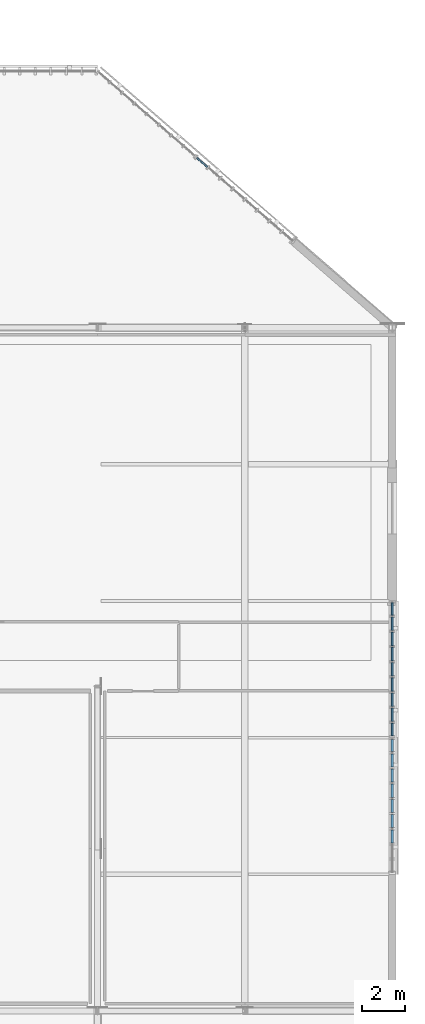
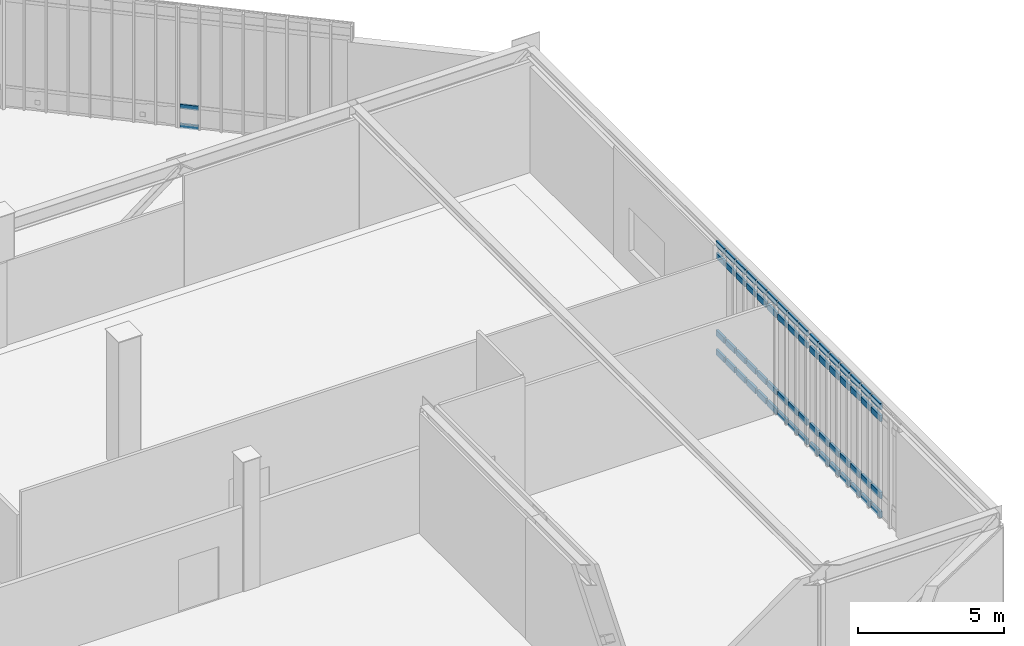
# One storey, part 64 of 135: 66 members, 3 elements without a shape of their own.
"""IFC4 building model written with IfcOpenShell, lengths in metres."""

from ifc_helpers import new_model, si_unit, direction, frame, origin, origin_2d, place, context, subcontext, project, spatial, rectangle, extrude, material, material_profile, profile_set, type_object, element, aggregate, save


model = new_model("IFC4")

# Units and contexts
model_context = context("Model", 3, precision=1e-05, world=origin(), true_north=direction((0.0, 1.0)))
body_context = subcontext(model_context, "Body", "Model", "MODEL_VIEW")
ifc_project = project(units=[si_unit("LENGTHUNIT", "METRE"), si_unit("AREAUNIT", "SQUARE_METRE"), si_unit("VOLUMEUNIT", "CUBIC_METRE"), si_unit("PLANEANGLEUNIT", "RADIAN"), si_unit("MASSUNIT", "GRAM", prefix="KILO")], contexts=[model_context])

# Site, building, storey
site_placement = place(None, origin())
site = spatial("IfcSite", under=ifc_project, at=site_placement, CompositionType="ELEMENT")
building_placement = place(site_placement, origin())
building = spatial("IfcBuilding", under=site, at=building_placement, Name="Larkvane Passage Sports Hall", CompositionType="ELEMENT")
storey_placement = place(building_placement, frame((0.0, 0.0, 16.800048828125)))
storey = spatial("IfcBuildingStorey", under=building, at=storey_placement, Name="L03", CompositionType="ELEMENT", Elevation=16.800048828125)

# Curtain wall, members
ifc_material_1 = material(Name="Thermally broken aluminium and low-E glazing", Category="aluminium")
curtain_wall_type_1 = type_object("IfcCurtainWallType", Name="CW-CLINIC", PredefinedType="USERDEFINED", material=ifc_material_1)
curtain_wall_1_placement = place(storey_placement, origin())
curtain_wall_1 = element("IfcCurtainWall", 1, at=curtain_wall_1_placement, inside=storey, type_object=curtain_wall_type_1, Name="Curtain wall CW5-L03-115", ObjectType="UNITISED CURTAIN WALL", PredefinedType="USERDEFINED")
ifc_material_2 = material(Name="Anodised aluminium 6063-T6", Category="aluminium")
ifc_material_profile_1 = material_profile(ifc_material_2, rectangle(XDim=0.10009765625, YDim=0.260009765625, at=origin_2d()), Name="ALU-TRN-100x260")
ifc_profile_set_1 = profile_set([ifc_material_profile_1], Name="Anodised aluminium 6063-T6")
member_type_1 = type_object("IfcMemberType", Name="CW-TRN-100x260", PredefinedType="USERDEFINED", material=ifc_profile_set_1)
member_1_placement = place(storey_placement, frame((166.39990234375, 20.300048828125, 0.050048828125), z_axis=(0.0, -1.0, 0.0), x_axis=(1.0, 0.0, 0.0)))
member_1 = element("IfcMember", 2, at=member_1_placement, type_object=member_type_1, Name="CW-05 transom 1.1", ObjectType="TRANSOM", PredefinedType="USERDEFINED", context=body_context, shape_type="SweptSolid", body=[
    extrude(rectangle(XDim=0.10009765625, YDim=0.260009765625, at=origin_2d()), origin(), (0.0, 0.0, 1.0), 0.561279296875),
])
member_2_placement = place(storey_placement, frame((166.39990234375, 20.300048828125, 0.849853515625), z_axis=(0.0, -1.0, 0.0), x_axis=(1.0, 0.0, 0.0)))
member_2 = element("IfcMember", 3, at=member_2_placement, type_object=member_type_1, Name="CW-05 transom 1.2", ObjectType="TRANSOM", PredefinedType="USERDEFINED", context=body_context, shape_type="SweptSolid", body=[
    extrude(rectangle(XDim=0.10009765625, YDim=0.260009765625, at=origin_2d()), origin(), (0.0, 0.0, 1.0), 0.561279296875),
])
member_3_placement = place(storey_placement, frame((166.39990234375, 20.300048828125, 4.06787109375), z_axis=(0.0, -1.0, 0.0), x_axis=(1.0, 0.0, 0.0)))
member_3 = element("IfcMember", 4, at=member_3_placement, type_object=member_type_1, Name="CW-05 transom 1.3", ObjectType="TRANSOM", PredefinedType="USERDEFINED", context=body_context, shape_type="SweptSolid", body=[
    extrude(rectangle(XDim=0.10009765625, YDim=0.260009765625, at=origin_2d()), origin(), (0.0, 0.0, 1.0), 0.561279296875),
])
member_4_placement = place(storey_placement, frame((166.39990234375, 20.300048828125, 4.56787109375), z_axis=(0.0, -1.0, 0.0), x_axis=(1.0, 0.0, 0.0)))
member_4 = element("IfcMember", 5, at=member_4_placement, type_object=member_type_1, Name="CW-05 transom 1.4", ObjectType="TRANSOM", PredefinedType="USERDEFINED", context=body_context, shape_type="SweptSolid", body=[
    extrude(rectangle(XDim=0.10009765625, YDim=0.260009765625, at=origin_2d()), origin(), (0.0, 0.0, 1.0), 0.561279296875),
])
member_5_placement = place(storey_placement, frame((166.39990234375, 19.638916015625, 0.050048828125), z_axis=(0.0, -1.0, 0.0), x_axis=(1.0, 0.0, 0.0)))
member_5 = element("IfcMember", 6, at=member_5_placement, type_object=member_type_1, Name="CW-05 transom 2.1", ObjectType="TRANSOM", PredefinedType="USERDEFINED", context=body_context, shape_type="SweptSolid", body=[
    extrude(rectangle(XDim=0.10009765625, YDim=0.260009765625, at=origin_2d()), origin(), (0.0, 0.0, 1.0), 0.611083984375),
])
member_6_placement = place(storey_placement, frame((166.39990234375, 19.638916015625, 0.849853515625), z_axis=(0.0, -1.0, 0.0), x_axis=(1.0, 0.0, 0.0)))
member_6 = element("IfcMember", 7, at=member_6_placement, type_object=member_type_1, Name="CW-05 transom 2.2", ObjectType="TRANSOM", PredefinedType="USERDEFINED", context=body_context, shape_type="SweptSolid", body=[
    extrude(rectangle(XDim=0.10009765625, YDim=0.260009765625, at=origin_2d()), origin(), (0.0, 0.0, 1.0), 0.611083984375),
])
member_7_placement = place(storey_placement, frame((166.39990234375, 19.638916015625, 4.06787109375), z_axis=(0.0, -1.0, 0.0), x_axis=(1.0, 0.0, 0.0)))
member_7 = element("IfcMember", 8, at=member_7_placement, type_object=member_type_1, Name="CW-05 transom 2.3", ObjectType="TRANSOM", PredefinedType="USERDEFINED", context=body_context, shape_type="SweptSolid", body=[
    extrude(rectangle(XDim=0.10009765625, YDim=0.260009765625, at=origin_2d()), origin(), (0.0, 0.0, 1.0), 0.611083984375),
])
member_8_placement = place(storey_placement, frame((166.39990234375, 19.638916015625, 4.56787109375), z_axis=(0.0, -1.0, 0.0), x_axis=(1.0, 0.0, 0.0)))
member_8 = element("IfcMember", 9, at=member_8_placement, type_object=member_type_1, Name="CW-05 transom 2.4", ObjectType="TRANSOM", PredefinedType="USERDEFINED", context=body_context, shape_type="SweptSolid", body=[
    extrude(rectangle(XDim=0.10009765625, YDim=0.260009765625, at=origin_2d()), origin(), (0.0, 0.0, 1.0), 0.611083984375),
])
member_9_placement = place(storey_placement, frame((166.39990234375, 18.927734375, 0.050048828125), z_axis=(0.0, -1.0, 0.0), x_axis=(1.0, 0.0, 0.0)))
member_9 = element("IfcMember", 10, at=member_9_placement, type_object=member_type_1, Name="CW-05 transom 3.1", ObjectType="TRANSOM", PredefinedType="USERDEFINED", context=body_context, shape_type="SweptSolid", body=[
    extrude(rectangle(XDim=0.10009765625, YDim=0.260009765625, at=origin_2d()), origin(), (0.0, 0.0, 1.0), 0.611083984375),
])
member_10_placement = place(storey_placement, frame((166.39990234375, 18.927734375, 0.849853515625), z_axis=(0.0, -1.0, 0.0), x_axis=(1.0, 0.0, 0.0)))
member_10 = element("IfcMember", 11, at=member_10_placement, type_object=member_type_1, Name="CW-05 transom 3.2", ObjectType="TRANSOM", PredefinedType="USERDEFINED", context=body_context, shape_type="SweptSolid", body=[
    extrude(rectangle(XDim=0.10009765625, YDim=0.260009765625, at=origin_2d()), origin(), (0.0, 0.0, 1.0), 0.611083984375),
])
member_11_placement = place(storey_placement, frame((166.39990234375, 18.927734375, 4.06787109375), z_axis=(0.0, -1.0, 0.0), x_axis=(1.0, 0.0, 0.0)))
member_11 = element("IfcMember", 12, at=member_11_placement, type_object=member_type_1, Name="CW-05 transom 3.3", ObjectType="TRANSOM", PredefinedType="USERDEFINED", context=body_context, shape_type="SweptSolid", body=[
    extrude(rectangle(XDim=0.10009765625, YDim=0.260009765625, at=origin_2d()), origin(), (0.0, 0.0, 1.0), 0.611083984375),
])
member_12_placement = place(storey_placement, frame((166.39990234375, 18.927734375, 4.56787109375), z_axis=(0.0, -1.0, 0.0), x_axis=(1.0, 0.0, 0.0)))
member_12 = element("IfcMember", 13, at=member_12_placement, type_object=member_type_1, Name="CW-05 transom 3.4", ObjectType="TRANSOM", PredefinedType="USERDEFINED", context=body_context, shape_type="SweptSolid", body=[
    extrude(rectangle(XDim=0.10009765625, YDim=0.260009765625, at=origin_2d()), origin(), (0.0, 0.0, 1.0), 0.611083984375),
])
member_13_placement = place(storey_placement, frame((166.39990234375, 18.216552734375, 0.050048828125), z_axis=(0.0, -1.0, 0.0), x_axis=(1.0, 0.0, 0.0)))
member_13 = element("IfcMember", 14, at=member_13_placement, type_object=member_type_1, Name="CW-05 transom 4.1", ObjectType="TRANSOM", PredefinedType="USERDEFINED", context=body_context, shape_type="SweptSolid", body=[
    extrude(rectangle(XDim=0.10009765625, YDim=0.260009765625, at=origin_2d()), origin(), (0.0, 0.0, 1.0), 0.611083984375),
])
member_14_placement = place(storey_placement, frame((166.39990234375, 18.216552734375, 0.849853515625), z_axis=(0.0, -1.0, 0.0), x_axis=(1.0, 0.0, 0.0)))
member_14 = element("IfcMember", 15, at=member_14_placement, type_object=member_type_1, Name="CW-05 transom 4.2", ObjectType="TRANSOM", PredefinedType="USERDEFINED", context=body_context, shape_type="SweptSolid", body=[
    extrude(rectangle(XDim=0.10009765625, YDim=0.260009765625, at=origin_2d()), origin(), (0.0, 0.0, 1.0), 0.611083984375),
])
member_15_placement = place(storey_placement, frame((166.39990234375, 18.216552734375, 4.06787109375), z_axis=(0.0, -1.0, 0.0), x_axis=(1.0, 0.0, 0.0)))
member_15 = element("IfcMember", 16, at=member_15_placement, type_object=member_type_1, Name="CW-05 transom 4.3", ObjectType="TRANSOM", PredefinedType="USERDEFINED", context=body_context, shape_type="SweptSolid", body=[
    extrude(rectangle(XDim=0.10009765625, YDim=0.260009765625, at=origin_2d()), origin(), (0.0, 0.0, 1.0), 0.611083984375),
])
member_16_placement = place(storey_placement, frame((166.39990234375, 18.216552734375, 4.56787109375), z_axis=(0.0, -1.0, 0.0), x_axis=(1.0, 0.0, 0.0)))
member_16 = element("IfcMember", 17, at=member_16_placement, type_object=member_type_1, Name="CW-05 transom 4.4", ObjectType="TRANSOM", PredefinedType="USERDEFINED", context=body_context, shape_type="SweptSolid", body=[
    extrude(rectangle(XDim=0.10009765625, YDim=0.260009765625, at=origin_2d()), origin(), (0.0, 0.0, 1.0), 0.611083984375),
])
member_17_placement = place(storey_placement, frame((166.39990234375, 17.505615234375, 0.050048828125), z_axis=(0.0, -1.0, 0.0), x_axis=(1.0, 0.0, 0.0)))
member_17 = element("IfcMember", 18, at=member_17_placement, type_object=member_type_1, Name="CW-05 transom 5.1", ObjectType="TRANSOM", PredefinedType="USERDEFINED", context=body_context, shape_type="SweptSolid", body=[
    extrude(rectangle(XDim=0.10009765625, YDim=0.260009765625, at=origin_2d()), origin(), (0.0, 0.0, 1.0), 0.611083984375),
])
member_18_placement = place(storey_placement, frame((166.39990234375, 17.505615234375, 0.849853515625), z_axis=(0.0, -1.0, 0.0), x_axis=(1.0, 0.0, 0.0)))
member_18 = element("IfcMember", 19, at=member_18_placement, type_object=member_type_1, Name="CW-05 transom 5.2", ObjectType="TRANSOM", PredefinedType="USERDEFINED", context=body_context, shape_type="SweptSolid", body=[
    extrude(rectangle(XDim=0.10009765625, YDim=0.260009765625, at=origin_2d()), origin(), (0.0, 0.0, 1.0), 0.611083984375),
])
member_19_placement = place(storey_placement, frame((166.39990234375, 17.505615234375, 4.06787109375), z_axis=(0.0, -1.0, 0.0), x_axis=(1.0, 0.0, 0.0)))
member_19 = element("IfcMember", 20, at=member_19_placement, type_object=member_type_1, Name="CW-05 transom 5.3", ObjectType="TRANSOM", PredefinedType="USERDEFINED", context=body_context, shape_type="SweptSolid", body=[
    extrude(rectangle(XDim=0.10009765625, YDim=0.260009765625, at=origin_2d()), origin(), (0.0, 0.0, 1.0), 0.611083984375),
])
member_20_placement = place(storey_placement, frame((166.39990234375, 17.505615234375, 4.56787109375), z_axis=(0.0, -1.0, 0.0), x_axis=(1.0, 0.0, 0.0)))
member_20 = element("IfcMember", 21, at=member_20_placement, type_object=member_type_1, Name="CW-05 transom 5.4", ObjectType="TRANSOM", PredefinedType="USERDEFINED", context=body_context, shape_type="SweptSolid", body=[
    extrude(rectangle(XDim=0.10009765625, YDim=0.260009765625, at=origin_2d()), origin(), (0.0, 0.0, 1.0), 0.611083984375),
])
member_21_placement = place(storey_placement, frame((166.39990234375, 16.79443359375, 0.050048828125), z_axis=(0.0, -1.0, 0.0), x_axis=(1.0, 0.0, 0.0)))
member_21 = element("IfcMember", 22, at=member_21_placement, type_object=member_type_1, Name="CW-05 transom 6.1", ObjectType="TRANSOM", PredefinedType="USERDEFINED", context=body_context, shape_type="SweptSolid", body=[
    extrude(rectangle(XDim=0.10009765625, YDim=0.260009765625, at=origin_2d()), origin(), (0.0, 0.0, 1.0), 0.611083984375),
])
member_22_placement = place(storey_placement, frame((166.39990234375, 16.79443359375, 0.849853515625), z_axis=(0.0, -1.0, 0.0), x_axis=(1.0, 0.0, 0.0)))
member_22 = element("IfcMember", 23, at=member_22_placement, type_object=member_type_1, Name="CW-05 transom 6.2", ObjectType="TRANSOM", PredefinedType="USERDEFINED", context=body_context, shape_type="SweptSolid", body=[
    extrude(rectangle(XDim=0.10009765625, YDim=0.260009765625, at=origin_2d()), origin(), (0.0, 0.0, 1.0), 0.611083984375),
])
member_23_placement = place(storey_placement, frame((166.39990234375, 16.79443359375, 4.06787109375), z_axis=(0.0, -1.0, 0.0), x_axis=(1.0, 0.0, 0.0)))
member_23 = element("IfcMember", 24, at=member_23_placement, type_object=member_type_1, Name="CW-05 transom 6.3", ObjectType="TRANSOM", PredefinedType="USERDEFINED", context=body_context, shape_type="SweptSolid", body=[
    extrude(rectangle(XDim=0.10009765625, YDim=0.260009765625, at=origin_2d()), origin(), (0.0, 0.0, 1.0), 0.611083984375),
])
member_24_placement = place(storey_placement, frame((166.39990234375, 16.79443359375, 4.56787109375), z_axis=(0.0, -1.0, 0.0), x_axis=(1.0, 0.0, 0.0)))
member_24 = element("IfcMember", 25, at=member_24_placement, type_object=member_type_1, Name="CW-05 transom 6.4", ObjectType="TRANSOM", PredefinedType="USERDEFINED", context=body_context, shape_type="SweptSolid", body=[
    extrude(rectangle(XDim=0.10009765625, YDim=0.260009765625, at=origin_2d()), origin(), (0.0, 0.0, 1.0), 0.611083984375),
])
member_25_placement = place(storey_placement, frame((166.39990234375, 16.083251953125, 0.050048828125), z_axis=(0.0, -1.0, 0.0), x_axis=(1.0, 0.0, 0.0)))
member_25 = element("IfcMember", 26, at=member_25_placement, type_object=member_type_1, Name="CW-05 transom 7.1", ObjectType="TRANSOM", PredefinedType="USERDEFINED", context=body_context, shape_type="SweptSolid", body=[
    extrude(rectangle(XDim=0.10009765625, YDim=0.260009765625, at=origin_2d()), origin(), (0.0, 0.0, 1.0), 0.611083984375),
])
member_26_placement = place(storey_placement, frame((166.39990234375, 16.083251953125, 0.849853515625), z_axis=(0.0, -1.0, 0.0), x_axis=(1.0, 0.0, 0.0)))
member_26 = element("IfcMember", 27, at=member_26_placement, type_object=member_type_1, Name="CW-05 transom 7.2", ObjectType="TRANSOM", PredefinedType="USERDEFINED", context=body_context, shape_type="SweptSolid", body=[
    extrude(rectangle(XDim=0.10009765625, YDim=0.260009765625, at=origin_2d()), origin(), (0.0, 0.0, 1.0), 0.611083984375),
])
member_27_placement = place(storey_placement, frame((166.39990234375, 16.083251953125, 4.06787109375), z_axis=(0.0, -1.0, 0.0), x_axis=(1.0, 0.0, 0.0)))
member_27 = element("IfcMember", 28, at=member_27_placement, type_object=member_type_1, Name="CW-05 transom 7.3", ObjectType="TRANSOM", PredefinedType="USERDEFINED", context=body_context, shape_type="SweptSolid", body=[
    extrude(rectangle(XDim=0.10009765625, YDim=0.260009765625, at=origin_2d()), origin(), (0.0, 0.0, 1.0), 0.611083984375),
])
member_28_placement = place(storey_placement, frame((166.39990234375, 16.083251953125, 4.56787109375), z_axis=(0.0, -1.0, 0.0), x_axis=(1.0, 0.0, 0.0)))
member_28 = element("IfcMember", 29, at=member_28_placement, type_object=member_type_1, Name="CW-05 transom 7.4", ObjectType="TRANSOM", PredefinedType="USERDEFINED", context=body_context, shape_type="SweptSolid", body=[
    extrude(rectangle(XDim=0.10009765625, YDim=0.260009765625, at=origin_2d()), origin(), (0.0, 0.0, 1.0), 0.611083984375),
])
aggregate(curtain_wall_1, [member_1, member_2, member_3, member_4, member_5, member_6, member_7, member_8, member_9, member_10, member_11, member_12, member_13, member_14, member_15, member_16, member_17, member_18, member_19, member_20, member_21, member_22, member_23, member_24, member_25, member_26, member_27, member_28])

curtain_wall_type_2 = type_object("IfcCurtainWallType", Name="CW-UNIT-VEIL", PredefinedType="USERDEFINED", material=ifc_material_1)
curtain_wall_2_placement = place(storey_placement, origin())
curtain_wall_2 = element("IfcCurtainWall", 30, at=curtain_wall_2_placement, inside=storey, type_object=curtain_wall_type_2, Name="Curtain wall CW5-L03-113", ObjectType="UNITISED CURTAIN WALL", PredefinedType="USERDEFINED")
ifc_material_profile_2 = material_profile(ifc_material_2, rectangle(XDim=0.074951171875, YDim=0.18505859375, at=origin_2d()), Name="ALU-TRN-75x185")
ifc_profile_set_2 = profile_set([ifc_material_profile_2], Name="Anodised aluminium 6063-T6")
member_type_2 = type_object("IfcMemberType", Name="CW-TRN-75x185", PredefinedType="USERDEFINED", material=ifc_profile_set_2)
member_29_placement = place(storey_placement, frame((157.256591796875, 47.55078125, 0.037353515625), z_axis=(0.754459831752, -0.656346221345, 0.0), x_axis=(0.656346221345, 0.754459831752, 0.0)))
member_29 = element("IfcMember", 31, at=member_29_placement, type_object=member_type_2, Name="CW-02 transom 1.1", ObjectType="TRANSOM", PredefinedType="USERDEFINED", context=body_context, shape_type="SweptSolid", body=[
    extrude(rectangle(XDim=0.074951171875, YDim=0.18505859375, at=origin_2d()), origin(), (0.0, 0.0, 1.0), 0.6494140625),
])
member_30_placement = place(storey_placement, frame((157.256591796875, 47.55078125, 0.849853515625), z_axis=(0.754459831752, -0.656346221345, 0.0), x_axis=(0.656346221345, 0.754459831752, 0.0)))
member_30 = element("IfcMember", 32, at=member_30_placement, type_object=member_type_2, Name="CW-02 transom 1.2", ObjectType="TRANSOM", PredefinedType="USERDEFINED", context=body_context, shape_type="SweptSolid", body=[
    extrude(rectangle(XDim=0.074951171875, YDim=0.18505859375, at=origin_2d()), origin(), (0.0, 0.0, 1.0), 0.6494140625),
])
aggregate(curtain_wall_2, [member_29, member_30])

curtain_wall_type_3 = type_object("IfcCurtainWallType", Name="CW-STICK-FOYER", PredefinedType="USERDEFINED", material=ifc_material_1)
curtain_wall_3_placement = place(storey_placement, origin())
curtain_wall_3 = element("IfcCurtainWall", 33, at=curtain_wall_3_placement, inside=storey, type_object=curtain_wall_type_3, Name="Curtain wall CW5-L03-114", ObjectType="STICK CURTAIN WALL", PredefinedType="USERDEFINED")
ifc_material_profile_3 = material_profile(ifc_material_2, rectangle(XDim=0.090087890625, YDim=0.235107421875, at=origin_2d()), Name="ALU-TRN-90x235")
ifc_profile_set_3 = profile_set([ifc_material_profile_3], Name="Anodised aluminium 6063-T6")
member_type_3 = type_object("IfcMemberType", Name="CW-TRN-90x235", PredefinedType="USERDEFINED", material=ifc_profile_set_3)
member_31_placement = place(storey_placement, frame((166.39990234375, 26.7099609375, 0.044921875), z_axis=(0.0, -1.0, 0.0), x_axis=(1.0, 0.0, 0.0)))
member_31 = element("IfcMember", 34, at=member_31_placement, type_object=member_type_3, Name="CW-03 transom 1.1", ObjectType="TRANSOM", PredefinedType="USERDEFINED", context=body_context, shape_type="SweptSolid", body=[
    extrude(rectangle(XDim=0.090087890625, YDim=0.235107421875, at=origin_2d()), origin(), (0.0, 0.0, 1.0), 0.576171875),
])
member_32_placement = place(storey_placement, frame((166.39990234375, 26.7099609375, 0.849853515625), z_axis=(0.0, -1.0, 0.0), x_axis=(1.0, 0.0, 0.0)))
member_32 = element("IfcMember", 35, at=member_32_placement, type_object=member_type_3, Name="CW-03 transom 1.2", ObjectType="TRANSOM", PredefinedType="USERDEFINED", context=body_context, shape_type="SweptSolid", body=[
    extrude(rectangle(XDim=0.090087890625, YDim=0.235107421875, at=origin_2d()), origin(), (0.0, 0.0, 1.0), 0.576171875),
])
member_33_placement = place(storey_placement, frame((166.39990234375, 26.7099609375, 4.06787109375), z_axis=(0.0, -1.0, 0.0), x_axis=(1.0, 0.0, 0.0)))
member_33 = element("IfcMember", 36, at=member_33_placement, type_object=member_type_3, Name="CW-03 transom 1.3", ObjectType="TRANSOM", PredefinedType="USERDEFINED", context=body_context, shape_type="SweptSolid", body=[
    extrude(rectangle(XDim=0.090087890625, YDim=0.235107421875, at=origin_2d()), origin(), (0.0, 0.0, 1.0), 0.576171875),
])
member_34_placement = place(storey_placement, frame((166.39990234375, 26.7099609375, 4.572998046875), z_axis=(0.0, -1.0, 0.0), x_axis=(1.0, 0.0, 0.0)))
member_34 = element("IfcMember", 37, at=member_34_placement, type_object=member_type_3, Name="CW-03 transom 1.4", ObjectType="TRANSOM", PredefinedType="USERDEFINED", context=body_context, shape_type="SweptSolid", body=[
    extrude(rectangle(XDim=0.090087890625, YDim=0.235107421875, at=origin_2d()), origin(), (0.0, 0.0, 1.0), 0.576171875),
])
member_35_placement = place(storey_placement, frame((166.39990234375, 26.0439453125, 0.044921875), z_axis=(0.0, -1.0, 0.0), x_axis=(1.0, 0.0, 0.0)))
member_35 = element("IfcMember", 38, at=member_35_placement, type_object=member_type_3, Name="CW-03 transom 2.1", ObjectType="TRANSOM", PredefinedType="USERDEFINED", context=body_context, shape_type="SweptSolid", body=[
    extrude(rectangle(XDim=0.090087890625, YDim=0.235107421875, at=origin_2d()), origin(), (0.0, 0.0, 1.0), 0.62109375),
])
member_36_placement = place(storey_placement, frame((166.39990234375, 26.0439453125, 0.849853515625), z_axis=(0.0, -1.0, 0.0), x_axis=(1.0, 0.0, 0.0)))
member_36 = element("IfcMember", 39, at=member_36_placement, type_object=member_type_3, Name="CW-03 transom 2.2", ObjectType="TRANSOM", PredefinedType="USERDEFINED", context=body_context, shape_type="SweptSolid", body=[
    extrude(rectangle(XDim=0.090087890625, YDim=0.235107421875, at=origin_2d()), origin(), (0.0, 0.0, 1.0), 0.62109375),
])
member_37_placement = place(storey_placement, frame((166.39990234375, 26.0439453125, 4.06787109375), z_axis=(0.0, -1.0, 0.0), x_axis=(1.0, 0.0, 0.0)))
member_37 = element("IfcMember", 40, at=member_37_placement, type_object=member_type_3, Name="CW-03 transom 2.3", ObjectType="TRANSOM", PredefinedType="USERDEFINED", context=body_context, shape_type="SweptSolid", body=[
    extrude(rectangle(XDim=0.090087890625, YDim=0.235107421875, at=origin_2d()), origin(), (0.0, 0.0, 1.0), 0.62109375),
])
member_38_placement = place(storey_placement, frame((166.39990234375, 26.0439453125, 4.572998046875), z_axis=(0.0, -1.0, 0.0), x_axis=(1.0, 0.0, 0.0)))
member_38 = element("IfcMember", 41, at=member_38_placement, type_object=member_type_3, Name="CW-03 transom 2.4", ObjectType="TRANSOM", PredefinedType="USERDEFINED", context=body_context, shape_type="SweptSolid", body=[
    extrude(rectangle(XDim=0.090087890625, YDim=0.235107421875, at=origin_2d()), origin(), (0.0, 0.0, 1.0), 0.62109375),
])
member_39_placement = place(storey_placement, frame((166.39990234375, 25.332763671875, 0.044921875), z_axis=(0.0, -1.0, 0.0), x_axis=(1.0, 0.0, 0.0)))
member_39 = element("IfcMember", 42, at=member_39_placement, type_object=member_type_3, Name="CW-03 transom 3.1", ObjectType="TRANSOM", PredefinedType="USERDEFINED", context=body_context, shape_type="SweptSolid", body=[
    extrude(rectangle(XDim=0.090087890625, YDim=0.235107421875, at=origin_2d()), origin(), (0.0, 0.0, 1.0), 0.62109375),
])
member_40_placement = place(storey_placement, frame((166.39990234375, 25.332763671875, 0.849853515625), z_axis=(0.0, -1.0, 0.0), x_axis=(1.0, 0.0, 0.0)))
member_40 = element("IfcMember", 43, at=member_40_placement, type_object=member_type_3, Name="CW-03 transom 3.2", ObjectType="TRANSOM", PredefinedType="USERDEFINED", context=body_context, shape_type="SweptSolid", body=[
    extrude(rectangle(XDim=0.090087890625, YDim=0.235107421875, at=origin_2d()), origin(), (0.0, 0.0, 1.0), 0.62109375),
])
member_41_placement = place(storey_placement, frame((166.39990234375, 25.332763671875, 4.06787109375), z_axis=(0.0, -1.0, 0.0), x_axis=(1.0, 0.0, 0.0)))
member_41 = element("IfcMember", 44, at=member_41_placement, type_object=member_type_3, Name="CW-03 transom 3.3", ObjectType="TRANSOM", PredefinedType="USERDEFINED", context=body_context, shape_type="SweptSolid", body=[
    extrude(rectangle(XDim=0.090087890625, YDim=0.235107421875, at=origin_2d()), origin(), (0.0, 0.0, 1.0), 0.62109375),
])
member_42_placement = place(storey_placement, frame((166.39990234375, 25.332763671875, 4.572998046875), z_axis=(0.0, -1.0, 0.0), x_axis=(1.0, 0.0, 0.0)))
member_42 = element("IfcMember", 45, at=member_42_placement, type_object=member_type_3, Name="CW-03 transom 3.4", ObjectType="TRANSOM", PredefinedType="USERDEFINED", context=body_context, shape_type="SweptSolid", body=[
    extrude(rectangle(XDim=0.090087890625, YDim=0.235107421875, at=origin_2d()), origin(), (0.0, 0.0, 1.0), 0.62109375),
])
member_43_placement = place(storey_placement, frame((166.39990234375, 24.62158203125, 0.044921875), z_axis=(0.0, -1.0, 0.0), x_axis=(1.0, 0.0, 0.0)))
member_43 = element("IfcMember", 46, at=member_43_placement, type_object=member_type_3, Name="CW-03 transom 4.1", ObjectType="TRANSOM", PredefinedType="USERDEFINED", context=body_context, shape_type="SweptSolid", body=[
    extrude(rectangle(XDim=0.090087890625, YDim=0.235107421875, at=origin_2d()), origin(), (0.0, 0.0, 1.0), 0.62109375),
])
member_44_placement = place(storey_placement, frame((166.39990234375, 24.62158203125, 0.849853515625), z_axis=(0.0, -1.0, 0.0), x_axis=(1.0, 0.0, 0.0)))
member_44 = element("IfcMember", 47, at=member_44_placement, type_object=member_type_3, Name="CW-03 transom 4.2", ObjectType="TRANSOM", PredefinedType="USERDEFINED", context=body_context, shape_type="SweptSolid", body=[
    extrude(rectangle(XDim=0.090087890625, YDim=0.235107421875, at=origin_2d()), origin(), (0.0, 0.0, 1.0), 0.62109375),
])
member_45_placement = place(storey_placement, frame((166.39990234375, 24.62158203125, 4.06787109375), z_axis=(0.0, -1.0, 0.0), x_axis=(1.0, 0.0, 0.0)))
member_45 = element("IfcMember", 48, at=member_45_placement, type_object=member_type_3, Name="CW-03 transom 4.3", ObjectType="TRANSOM", PredefinedType="USERDEFINED", context=body_context, shape_type="SweptSolid", body=[
    extrude(rectangle(XDim=0.090087890625, YDim=0.235107421875, at=origin_2d()), origin(), (0.0, 0.0, 1.0), 0.62109375),
])
member_46_placement = place(storey_placement, frame((166.39990234375, 24.62158203125, 4.572998046875), z_axis=(0.0, -1.0, 0.0), x_axis=(1.0, 0.0, 0.0)))
member_46 = element("IfcMember", 49, at=member_46_placement, type_object=member_type_3, Name="CW-03 transom 4.4", ObjectType="TRANSOM", PredefinedType="USERDEFINED", context=body_context, shape_type="SweptSolid", body=[
    extrude(rectangle(XDim=0.090087890625, YDim=0.235107421875, at=origin_2d()), origin(), (0.0, 0.0, 1.0), 0.62109375),
])
member_47_placement = place(storey_placement, frame((166.39990234375, 23.91064453125, 0.044921875), z_axis=(0.0, -1.0, 0.0), x_axis=(1.0, 0.0, 0.0)))
member_47 = element("IfcMember", 50, at=member_47_placement, type_object=member_type_3, Name="CW-03 transom 5.1", ObjectType="TRANSOM", PredefinedType="USERDEFINED", context=body_context, shape_type="SweptSolid", body=[
    extrude(rectangle(XDim=0.090087890625, YDim=0.235107421875, at=origin_2d()), origin(), (0.0, 0.0, 1.0), 0.62109375),
])
member_48_placement = place(storey_placement, frame((166.39990234375, 23.91064453125, 0.849853515625), z_axis=(0.0, -1.0, 0.0), x_axis=(1.0, 0.0, 0.0)))
member_48 = element("IfcMember", 51, at=member_48_placement, type_object=member_type_3, Name="CW-03 transom 5.2", ObjectType="TRANSOM", PredefinedType="USERDEFINED", context=body_context, shape_type="SweptSolid", body=[
    extrude(rectangle(XDim=0.090087890625, YDim=0.235107421875, at=origin_2d()), origin(), (0.0, 0.0, 1.0), 0.62109375),
])
member_49_placement = place(storey_placement, frame((166.39990234375, 23.91064453125, 4.06787109375), z_axis=(0.0, -1.0, 0.0), x_axis=(1.0, 0.0, 0.0)))
member_49 = element("IfcMember", 52, at=member_49_placement, type_object=member_type_3, Name="CW-03 transom 5.3", ObjectType="TRANSOM", PredefinedType="USERDEFINED", context=body_context, shape_type="SweptSolid", body=[
    extrude(rectangle(XDim=0.090087890625, YDim=0.235107421875, at=origin_2d()), origin(), (0.0, 0.0, 1.0), 0.62109375),
])
member_50_placement = place(storey_placement, frame((166.39990234375, 23.91064453125, 4.572998046875), z_axis=(0.0, -1.0, 0.0), x_axis=(1.0, 0.0, 0.0)))
member_50 = element("IfcMember", 53, at=member_50_placement, type_object=member_type_3, Name="CW-03 transom 5.4", ObjectType="TRANSOM", PredefinedType="USERDEFINED", context=body_context, shape_type="SweptSolid", body=[
    extrude(rectangle(XDim=0.090087890625, YDim=0.235107421875, at=origin_2d()), origin(), (0.0, 0.0, 1.0), 0.62109375),
])
member_51_placement = place(storey_placement, frame((166.39990234375, 23.199462890625, 0.044921875), z_axis=(0.0, -1.0, 0.0), x_axis=(1.0, 0.0, 0.0)))
member_51 = element("IfcMember", 54, at=member_51_placement, type_object=member_type_3, Name="CW-03 transom 6.1", ObjectType="TRANSOM", PredefinedType="USERDEFINED", context=body_context, shape_type="SweptSolid", body=[
    extrude(rectangle(XDim=0.090087890625, YDim=0.235107421875, at=origin_2d()), origin(), (0.0, 0.0, 1.0), 0.62109375),
])
member_52_placement = place(storey_placement, frame((166.39990234375, 23.199462890625, 0.849853515625), z_axis=(0.0, -1.0, 0.0), x_axis=(1.0, 0.0, 0.0)))
member_52 = element("IfcMember", 55, at=member_52_placement, type_object=member_type_3, Name="CW-03 transom 6.2", ObjectType="TRANSOM", PredefinedType="USERDEFINED", context=body_context, shape_type="SweptSolid", body=[
    extrude(rectangle(XDim=0.090087890625, YDim=0.235107421875, at=origin_2d()), origin(), (0.0, 0.0, 1.0), 0.62109375),
])
member_53_placement = place(storey_placement, frame((166.39990234375, 23.199462890625, 4.06787109375), z_axis=(0.0, -1.0, 0.0), x_axis=(1.0, 0.0, 0.0)))
member_53 = element("IfcMember", 56, at=member_53_placement, type_object=member_type_3, Name="CW-03 transom 6.3", ObjectType="TRANSOM", PredefinedType="USERDEFINED", context=body_context, shape_type="SweptSolid", body=[
    extrude(rectangle(XDim=0.090087890625, YDim=0.235107421875, at=origin_2d()), origin(), (0.0, 0.0, 1.0), 0.62109375),
])
member_54_placement = place(storey_placement, frame((166.39990234375, 23.199462890625, 4.572998046875), z_axis=(0.0, -1.0, 0.0), x_axis=(1.0, 0.0, 0.0)))
member_54 = element("IfcMember", 57, at=member_54_placement, type_object=member_type_3, Name="CW-03 transom 6.4", ObjectType="TRANSOM", PredefinedType="USERDEFINED", context=body_context, shape_type="SweptSolid", body=[
    extrude(rectangle(XDim=0.090087890625, YDim=0.235107421875, at=origin_2d()), origin(), (0.0, 0.0, 1.0), 0.62109375),
])
member_55_placement = place(storey_placement, frame((166.39990234375, 22.48828125, 0.044921875), z_axis=(0.0, -1.0, 0.0), x_axis=(1.0, 0.0, 0.0)))
member_55 = element("IfcMember", 58, at=member_55_placement, type_object=member_type_3, Name="CW-03 transom 7.1", ObjectType="TRANSOM", PredefinedType="USERDEFINED", context=body_context, shape_type="SweptSolid", body=[
    extrude(rectangle(XDim=0.090087890625, YDim=0.235107421875, at=origin_2d()), origin(), (0.0, 0.0, 1.0), 0.62109375),
])
member_56_placement = place(storey_placement, frame((166.39990234375, 22.48828125, 0.849853515625), z_axis=(0.0, -1.0, 0.0), x_axis=(1.0, 0.0, 0.0)))
member_56 = element("IfcMember", 59, at=member_56_placement, type_object=member_type_3, Name="CW-03 transom 7.2", ObjectType="TRANSOM", PredefinedType="USERDEFINED", context=body_context, shape_type="SweptSolid", body=[
    extrude(rectangle(XDim=0.090087890625, YDim=0.235107421875, at=origin_2d()), origin(), (0.0, 0.0, 1.0), 0.62109375),
])
member_57_placement = place(storey_placement, frame((166.39990234375, 22.48828125, 4.06787109375), z_axis=(0.0, -1.0, 0.0), x_axis=(1.0, 0.0, 0.0)))
member_57 = element("IfcMember", 60, at=member_57_placement, type_object=member_type_3, Name="CW-03 transom 7.3", ObjectType="TRANSOM", PredefinedType="USERDEFINED", context=body_context, shape_type="SweptSolid", body=[
    extrude(rectangle(XDim=0.090087890625, YDim=0.235107421875, at=origin_2d()), origin(), (0.0, 0.0, 1.0), 0.62109375),
])
member_58_placement = place(storey_placement, frame((166.39990234375, 22.48828125, 4.572998046875), z_axis=(0.0, -1.0, 0.0), x_axis=(1.0, 0.0, 0.0)))
member_58 = element("IfcMember", 61, at=member_58_placement, type_object=member_type_3, Name="CW-03 transom 7.4", ObjectType="TRANSOM", PredefinedType="USERDEFINED", context=body_context, shape_type="SweptSolid", body=[
    extrude(rectangle(XDim=0.090087890625, YDim=0.235107421875, at=origin_2d()), origin(), (0.0, 0.0, 1.0), 0.62109375),
])
member_59_placement = place(storey_placement, frame((166.39990234375, 21.77734375, 0.044921875), z_axis=(0.0, -1.0, 0.0), x_axis=(1.0, 0.0, 0.0)))
member_59 = element("IfcMember", 62, at=member_59_placement, type_object=member_type_3, Name="CW-03 transom 8.1", ObjectType="TRANSOM", PredefinedType="USERDEFINED", context=body_context, shape_type="SweptSolid", body=[
    extrude(rectangle(XDim=0.090087890625, YDim=0.235107421875, at=origin_2d()), origin(), (0.0, 0.0, 1.0), 0.621337890625),
])
member_60_placement = place(storey_placement, frame((166.39990234375, 21.77734375, 0.849853515625), z_axis=(0.0, -1.0, 0.0), x_axis=(1.0, 0.0, 0.0)))
member_60 = element("IfcMember", 63, at=member_60_placement, type_object=member_type_3, Name="CW-03 transom 8.2", ObjectType="TRANSOM", PredefinedType="USERDEFINED", context=body_context, shape_type="SweptSolid", body=[
    extrude(rectangle(XDim=0.090087890625, YDim=0.235107421875, at=origin_2d()), origin(), (0.0, 0.0, 1.0), 0.621337890625),
])
member_61_placement = place(storey_placement, frame((166.39990234375, 21.77734375, 4.06787109375), z_axis=(0.0, -1.0, 0.0), x_axis=(1.0, 0.0, 0.0)))
member_61 = element("IfcMember", 64, at=member_61_placement, type_object=member_type_3, Name="CW-03 transom 8.3", ObjectType="TRANSOM", PredefinedType="USERDEFINED", context=body_context, shape_type="SweptSolid", body=[
    extrude(rectangle(XDim=0.090087890625, YDim=0.235107421875, at=origin_2d()), origin(), (0.0, 0.0, 1.0), 0.621337890625),
])
member_62_placement = place(storey_placement, frame((166.39990234375, 21.77734375, 4.572998046875), z_axis=(0.0, -1.0, 0.0), x_axis=(1.0, 0.0, 0.0)))
member_62 = element("IfcMember", 65, at=member_62_placement, type_object=member_type_3, Name="CW-03 transom 8.4", ObjectType="TRANSOM", PredefinedType="USERDEFINED", context=body_context, shape_type="SweptSolid", body=[
    extrude(rectangle(XDim=0.090087890625, YDim=0.235107421875, at=origin_2d()), origin(), (0.0, 0.0, 1.0), 0.621337890625),
])
member_63_placement = place(storey_placement, frame((166.39990234375, 21.066162109375, 0.044921875), z_axis=(0.0, -1.0, 0.0), x_axis=(1.0, 0.0, 0.0)))
member_63 = element("IfcMember", 66, at=member_63_placement, type_object=member_type_3, Name="CW-03 transom 9.1", ObjectType="TRANSOM", PredefinedType="USERDEFINED", context=body_context, shape_type="SweptSolid", body=[
    extrude(rectangle(XDim=0.090087890625, YDim=0.235107421875, at=origin_2d()), origin(), (0.0, 0.0, 1.0), 0.576171875),
])
member_64_placement = place(storey_placement, frame((166.39990234375, 21.066162109375, 0.849853515625), z_axis=(0.0, -1.0, 0.0), x_axis=(1.0, 0.0, 0.0)))
member_64 = element("IfcMember", 67, at=member_64_placement, type_object=member_type_3, Name="CW-03 transom 9.2", ObjectType="TRANSOM", PredefinedType="USERDEFINED", context=body_context, shape_type="SweptSolid", body=[
    extrude(rectangle(XDim=0.090087890625, YDim=0.235107421875, at=origin_2d()), origin(), (0.0, 0.0, 1.0), 0.576171875),
])
member_65_placement = place(storey_placement, frame((166.39990234375, 21.066162109375, 4.06787109375), z_axis=(0.0, -1.0, 0.0), x_axis=(1.0, 0.0, 0.0)))
member_65 = element("IfcMember", 68, at=member_65_placement, type_object=member_type_3, Name="CW-03 transom 9.3", ObjectType="TRANSOM", PredefinedType="USERDEFINED", context=body_context, shape_type="SweptSolid", body=[
    extrude(rectangle(XDim=0.090087890625, YDim=0.235107421875, at=origin_2d()), origin(), (0.0, 0.0, 1.0), 0.576171875),
])
member_66_placement = place(storey_placement, frame((166.39990234375, 21.066162109375, 4.572998046875), z_axis=(0.0, -1.0, 0.0), x_axis=(1.0, 0.0, 0.0)))
member_66 = element("IfcMember", 69, at=member_66_placement, type_object=member_type_3, Name="CW-03 transom 9.4", ObjectType="TRANSOM", PredefinedType="USERDEFINED", context=body_context, shape_type="SweptSolid", body=[
    extrude(rectangle(XDim=0.090087890625, YDim=0.235107421875, at=origin_2d()), origin(), (0.0, 0.0, 1.0), 0.576171875),
])
aggregate(curtain_wall_3, [member_31, member_32, member_33, member_34, member_35, member_36, member_37, member_38, member_39, member_40, member_41, member_42, member_43, member_44, member_45, member_46, member_47, member_48, member_49, member_50, member_51, member_52, member_53, member_54, member_55, member_56, member_57, member_58, member_59, member_60, member_61, member_62, member_63, member_64, member_65, member_66])

save(model, "model.ifc")
